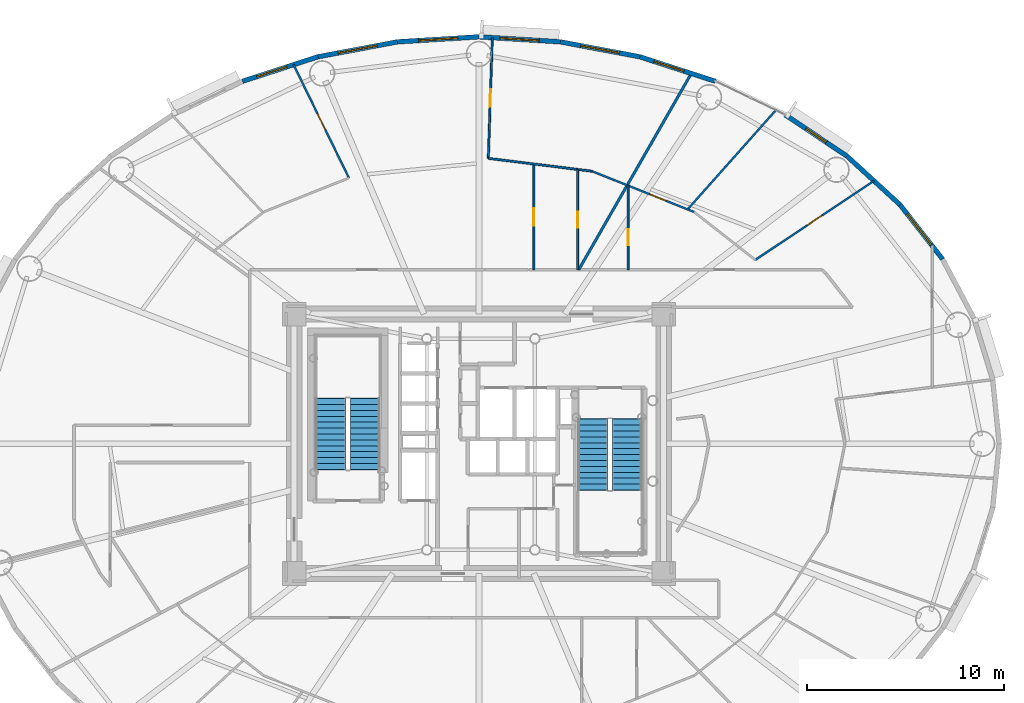
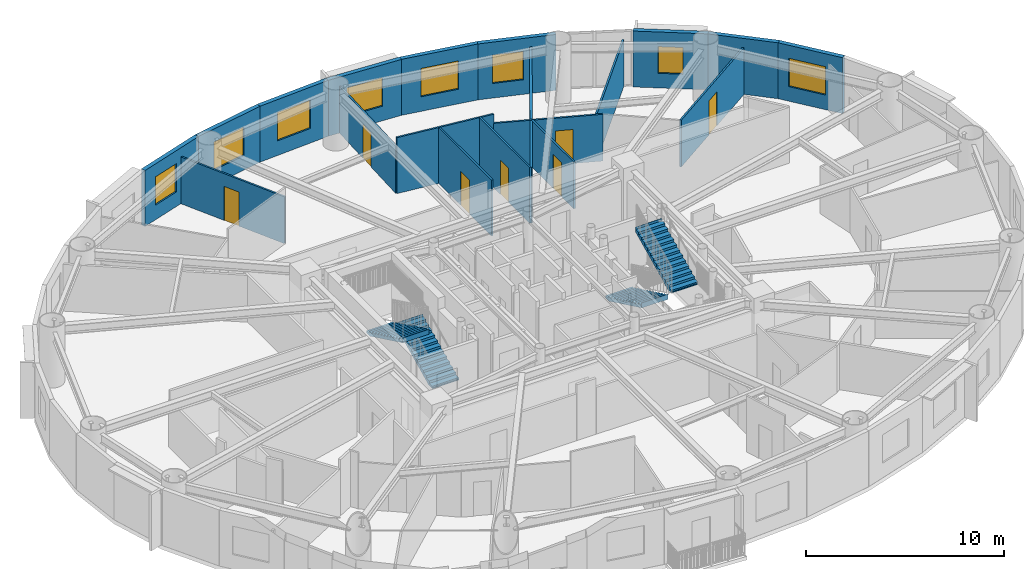
# One storey, part 10 of 17: 19 walls, 8 windows, 7 doors, 4 stair flights, 15 openings, 2 elements without a shape of their own.
"""IFC4 building model written with IfcOpenShell, lengths in metres."""

from ifc_helpers import new_model, si_unit, direction, frame, frame_2d, origin, origin_2d, place, context, subcontext, project, spatial, polyline, rectangle, outline, extrude, source, transform, mapped, material, layer, layer_set, type_object, element, fill, aggregate, save


model = new_model("IFC4")

# Units and contexts
model_context = context("Model", 3, precision=1e-05, world=origin(), true_north=direction((0.0, 1.0)))
body_context = subcontext(model_context, "Body", "Model", "MODEL_VIEW")
ifc_project = project(units=[si_unit("LENGTHUNIT", "METRE"), si_unit("AREAUNIT", "SQUARE_METRE"), si_unit("VOLUMEUNIT", "CUBIC_METRE"), si_unit("PLANEANGLEUNIT", "RADIAN"), si_unit("MASSUNIT", "GRAM", prefix="KILO")], contexts=[model_context])

# Site, building, storey
site_placement = place(None, origin())
site = spatial("IfcSite", under=ifc_project, at=site_placement, CompositionType="ELEMENT")
building_placement = place(site_placement, origin())
building = spatial("IfcBuilding", under=site, at=building_placement, Name="Linh Dai School and Residence Tower", CompositionType="ELEMENT")
storey_placement = place(building_placement, frame((0.0, 0.0, 201.14990234375)))
storey = spatial("IfcBuildingStorey", under=building, at=storey_placement, Name="L49", CompositionType="ELEMENT", Elevation=201.14990234375)

# Wall, opening, window
ifc_material_1 = material(Name="Precast Concrete B45 (C35/45)", Category="concrete")
ifc_layer_1 = layer(ifc_material_1, 0.239990234375)
ifc_layer_set_1 = layer_set([ifc_layer_1], Name="Precast Concrete B45 (C35/45)")
wall_type_1 = type_object("IfcWallType", Name="EW-TC-240", PredefinedType="SOLIDWALL", material=ifc_layer_set_1)
wall_1_placement = place(storey_placement, frame((57.42822265625, 39.158447265625, 0.0), z_axis=(0.0, 0.0, 1.0), x_axis=(0.616287674549, -0.787521112224, 0.0)))
wall_1 = element("IfcWall", 1, at=wall_1_placement, inside=storey, type_object=wall_type_1, Name="L49 Terracotta Exterior Wall 04", PredefinedType="SOLIDWALL", context=body_context, shape_type="SweptSolid", body=[
    extrude(rectangle(XDim=3.517333984375, YDim=0.239990234375, at=frame_2d((1.7587890625, 0.0))), origin(), (0.0, 0.0, 1.0), 3.4501953125),
])
opening_1_placement = place(wall_1_placement, frame((0.5791015625, 0.0, 0.89990234375)))
opening_1 = element("IfcOpeningElement", 2, at=opening_1_placement, cuts=wall_1, Name="Opening W1", PredefinedType="OPENING", context=body_context, shape_type="SweptSolid", body=[
    extrude(rectangle(XDim=2.0, YDim=1.75, at=origin_2d()), frame((1.0, 0.1298828125, 0.875), z_axis=(0.0, -1.0, 0.0), x_axis=(1.0, 0.0, 0.0)), (0.0, 0.0, 1.0), 0.260009765625),
])
ifc_material_2 = material(Name="Double Low-E Insulated Glazing", Category="glass")
window_type_1 = type_object("IfcWindowType", Name="WN-RES-2000x1750", PartitioningType="DOUBLE_PANEL_VERTICAL", PredefinedType="WINDOW", material=ifc_material_2)
shared_shape_1 = source(origin(), body_context, "Body", "SweptSolid", [
    extrude(rectangle(XDim=2.0, YDim=1.75, at=origin_2d()), frame((1.0, 0.030029296875, 0.875), z_axis=(0.0, -1.0, 0.0), x_axis=(1.0, 0.0, 0.0)), (0.0, 0.0, 1.0), 0.06005859375),
])
window_1_placement = place(opening_1_placement, origin())
window_1 = element("IfcWindow", 3, at=window_1_placement, inside=storey, type_object=window_type_1, Name="L49 Exterior Window 04.1", OverallHeight=1.75, OverallWidth=2.0, PartitioningType="DOUBLE_PANEL_VERTICAL", PredefinedType="WINDOW", context=body_context, shape_type="MappedRepresentation", body=[
    mapped(shared_shape_1, transform((0.0, 0.0, 0.0), x_axis=(1.0, 0.0, 0.0), y_axis=(0.0, 1.0, 0.0), z_axis=(0.0, 0.0, 1.0), scale=1.0)),
])
fill(opening_1, window_1)

# Wall
wall_2_placement = place(storey_placement, frame((54.73193359375, 41.630615234375, 0.0), z_axis=(0.0, 0.0, 1.0), x_axis=(0.737076565834, -0.675809245349, 0.0)))
element("IfcWall", 4, at=wall_2_placement, inside=storey, type_object=wall_type_1, Name="L49 Terracotta Exterior Wall 05", PredefinedType="SOLIDWALL", context=body_context, shape_type="SweptSolid", body=[
    extrude(rectangle(XDim=3.658203125, YDim=0.239990234375, at=frame_2d((1.8291015625, 0.0))), origin(), (0.0, 0.0, 1.0), 3.4501953125),
])

# Wall, opening, window
wall_3_placement = place(storey_placement, frame((51.5732421875, 43.7431640625, 0.0), z_axis=(0.0, 0.0, 1.0), x_axis=(0.831228998277, -0.555930168657, 0.0)))
wall_3 = element("IfcWall", 5, at=wall_3_placement, inside=storey, type_object=wall_type_1, Name="L49 Terracotta Exterior Wall 06", PredefinedType="SOLIDWALL", context=body_context, shape_type="SweptSolid", body=[
    extrude(rectangle(XDim=3.800048828125, YDim=0.239990234375, at=frame_2d((1.89990234375, 0.0))), origin(), (0.0, 0.0, 1.0), 3.4501953125),
])
opening_2_placement = place(wall_3_placement, frame((1.27490234375, 0.0, 0.89990234375)))
opening_2 = element("IfcOpeningElement", 6, at=opening_2_placement, cuts=wall_3, Name="Opening W3", PredefinedType="OPENING", context=body_context, shape_type="SweptSolid", body=[
    extrude(rectangle(XDim=1.25, YDim=1.64990234375, at=origin_2d()), frame((0.625, 0.1298828125, 0.824951171875), z_axis=(0.0, -1.0, 0.0), x_axis=(1.0, 0.0, 0.0)), (0.0, 0.0, 1.0), 0.260009765625),
])
window_type_2 = type_object("IfcWindowType", Name="WN-RES-1250x1650", PartitioningType="SINGLE_PANEL", PredefinedType="WINDOW", material=ifc_material_2)
shared_shape_2 = source(origin(), body_context, "Body", "SweptSolid", [
    extrude(rectangle(XDim=1.25, YDim=1.64990234375, at=origin_2d()), frame((0.625, 0.030029296875, 0.824951171875), z_axis=(0.0, -1.0, 0.0), x_axis=(1.0, 0.0, 0.0)), (0.0, 0.0, 1.0), 0.06005859375),
])
window_2_placement = place(opening_2_placement, origin())
window_2 = element("IfcWindow", 7, at=window_2_placement, inside=storey, type_object=window_type_2, Name="L49 Dwelling Window U4902-BD3", OverallHeight=1.64990234375, OverallWidth=1.25, PartitioningType="SINGLE_PANEL", PredefinedType="WINDOW", context=body_context, shape_type="MappedRepresentation", body=[
    mapped(shared_shape_2, transform((0.0, 0.0, 0.0), x_axis=(1.0, 0.0, 0.0), y_axis=(0.0, 1.0, 0.0), z_axis=(0.0, 0.0, 1.0), scale=1.0)),
])
fill(opening_2, window_2)

wall_4_placement = place(storey_placement, frame((44.18896484375, 46.689453125, 0.0), z_axis=(0.0, 0.0, 1.0), x_axis=(0.951209870236, -0.30854462038, 0.0)))
wall_4 = element("IfcWall", 8, at=wall_4_placement, inside=storey, type_object=wall_type_1, Name="L49 Terracotta Exterior Wall 08", PredefinedType="SOLIDWALL", context=body_context, shape_type="SweptSolid", body=[
    extrude(rectangle(XDim=4.037841796875, YDim=0.239990234375, at=frame_2d((2.01904296875, 0.0))), origin(), (0.0, 0.0, 1.0), 3.4501953125),
])
opening_3_placement = place(wall_4_placement, frame((0.7568359375, 0.0, 0.89990234375)))
opening_3 = element("IfcOpeningElement", 9, at=opening_3_placement, cuts=wall_4, Name="Opening W2", PredefinedType="OPENING", context=body_context, shape_type="SweptSolid", body=[
    extrude(rectangle(XDim=1.60009765625, YDim=1.75, at=origin_2d()), frame((0.800048828125, 0.1298828125, 0.875), z_axis=(0.0, -1.0, 0.0), x_axis=(1.0, 0.0, 0.0)), (0.0, 0.0, 1.0), 0.260009765625),
])
window_type_3 = type_object("IfcWindowType", Name="WN-RES-1600x1750", PartitioningType="DOUBLE_PANEL_VERTICAL", PredefinedType="WINDOW", material=ifc_material_2)
shared_shape_3 = source(origin(), body_context, "Body", "SweptSolid", [
    extrude(rectangle(XDim=1.60009765625, YDim=1.75, at=origin_2d()), frame((0.800048828125, 0.030029296875, 0.875), z_axis=(0.0, -1.0, 0.0), x_axis=(1.0, 0.0, 0.0)), (0.0, 0.0, 1.0), 0.06005859375),
])
window_3_placement = place(opening_3_placement, origin())
window_3 = element("IfcWindow", 10, at=window_3_placement, inside=storey, type_object=window_type_3, Name="L49 Exterior Window 08.1", OverallHeight=1.75, OverallWidth=1.60009765625, PartitioningType="DOUBLE_PANEL_VERTICAL", PredefinedType="WINDOW", context=body_context, shape_type="MappedRepresentation", body=[
    mapped(shared_shape_3, transform((0.0, 0.0, 0.0), x_axis=(1.0, 0.0, 0.0), y_axis=(0.0, 1.0, 0.0), z_axis=(0.0, 0.0, 1.0), scale=1.0)),
])
fill(opening_3, window_3)

wall_5_placement = place(storey_placement, frame((40.145751953125, 47.449462890625, 0.0), z_axis=(0.0, 0.0, 1.0), x_axis=(0.982788108205, -0.184736391573, 0.0)))
wall_5 = element("IfcWall", 11, at=wall_5_placement, inside=storey, type_object=wall_type_1, Name="L49 Terracotta Exterior Wall 09", PredefinedType="SOLIDWALL", context=body_context, shape_type="SweptSolid", body=[
    extrude(rectangle(XDim=4.114013671875, YDim=0.239990234375, at=frame_2d((2.05712890625, 0.0))), origin(), (0.0, 0.0, 1.0), 3.4501953125),
])
opening_4_placement = place(wall_5_placement, frame((1.056884765625, 0.0, 0.89990234375)))
opening_4 = element("IfcOpeningElement", 12, at=opening_4_placement, cuts=wall_5, Name="Opening W1", PredefinedType="OPENING", context=body_context, shape_type="SweptSolid", body=[
    extrude(rectangle(XDim=2.0, YDim=1.75, at=origin_2d()), frame((1.0, 0.1298828125, 0.875), z_axis=(0.0, -1.0, 0.0), x_axis=(1.0, 0.0, 0.0)), (0.0, 0.0, 1.0), 0.260009765625),
])
window_4_placement = place(opening_4_placement, origin())
window_4 = element("IfcWindow", 13, at=window_4_placement, inside=storey, type_object=window_type_1, Name="L49 Exterior Window 09.1", OverallHeight=1.75, OverallWidth=2.0, PartitioningType="DOUBLE_PANEL_VERTICAL", PredefinedType="WINDOW", context=body_context, shape_type="MappedRepresentation", body=[
    mapped(shared_shape_1, transform((0.0, 0.0, 0.0), x_axis=(1.0, 0.0, 0.0), y_axis=(0.0, 1.0, 0.0), z_axis=(0.0, 0.0, 1.0), scale=1.0)),
])
fill(opening_4, window_4)

wall_6_placement = place(storey_placement, frame((36.0, 47.705078125, 0.0), z_axis=(0.0, 0.0, 1.0), x_axis=(0.998104600619, -0.061540281305, 0.0)))
wall_6 = element("IfcWall", 14, at=wall_6_placement, inside=storey, type_object=wall_type_1, Name="L49 Terracotta Exterior Wall 10", PredefinedType="SOLIDWALL", context=body_context, shape_type="SweptSolid", body=[
    extrude(rectangle(XDim=4.153564453125, YDim=0.239990234375, at=frame_2d((2.07666015625, 0.0))), origin(), (0.0, 0.0, 1.0), 3.4501953125),
])
opening_5_placement = place(wall_6_placement, frame((1.076904296875, 0.0, 0.89990234375)))
opening_5 = element("IfcOpeningElement", 15, at=opening_5_placement, cuts=wall_6, Name="Opening W1", PredefinedType="OPENING", context=body_context, shape_type="SweptSolid", body=[
    extrude(rectangle(XDim=2.0, YDim=1.75, at=origin_2d()), frame((1.0, 0.1298828125, 0.875), z_axis=(0.0, -1.0, 0.0), x_axis=(1.0, 0.0, 0.0)), (0.0, 0.0, 1.0), 0.260009765625),
])
window_5_placement = place(opening_5_placement, origin())
window_5 = element("IfcWindow", 16, at=window_5_placement, inside=storey, type_object=window_type_1, Name="L49 Exterior Window 10.1", OverallHeight=1.75, OverallWidth=2.0, PartitioningType="DOUBLE_PANEL_VERTICAL", PredefinedType="WINDOW", context=body_context, shape_type="MappedRepresentation", body=[
    mapped(shared_shape_1, transform((0.0, 0.0, 0.0), x_axis=(1.0, 0.0, 0.0), y_axis=(0.0, 1.0, 0.0), z_axis=(0.0, 0.0, 1.0), scale=1.0)),
])
fill(opening_5, window_5)

wall_7_placement = place(storey_placement, frame((31.854248046875, 47.449462890625, 0.0), z_axis=(0.0, 0.0, 1.0), x_axis=(0.998104600619, 0.061540281305, 0.0)))
wall_7 = element("IfcWall", 17, at=wall_7_placement, inside=storey, type_object=wall_type_1, Name="L49 Terracotta Exterior Wall 11", PredefinedType="SOLIDWALL", context=body_context, shape_type="SweptSolid", body=[
    extrude(rectangle(XDim=4.153564453125, YDim=0.239990234375, at=frame_2d((2.07666015625, 0.0))), origin(), (0.0, 0.0, 1.0), 3.4501953125),
])
opening_6_placement = place(wall_7_placement, frame((1.076904296875, 0.0, 0.89990234375)))
opening_6 = element("IfcOpeningElement", 18, at=opening_6_placement, cuts=wall_7, Name="Opening W1", PredefinedType="OPENING", context=body_context, shape_type="SweptSolid", body=[
    extrude(rectangle(XDim=2.0, YDim=1.75, at=origin_2d()), frame((1.0, 0.1298828125, 0.875), z_axis=(0.0, -1.0, 0.0), x_axis=(1.0, 0.0, 0.0)), (0.0, 0.0, 1.0), 0.260009765625),
])
window_6_placement = place(opening_6_placement, origin())
window_6 = element("IfcWindow", 19, at=window_6_placement, inside=storey, type_object=window_type_1, Name="L49 Exterior Window 11.1", OverallHeight=1.75, OverallWidth=2.0, PartitioningType="DOUBLE_PANEL_VERTICAL", PredefinedType="WINDOW", context=body_context, shape_type="MappedRepresentation", body=[
    mapped(shared_shape_1, transform((0.0, 0.0, 0.0), x_axis=(1.0, 0.0, 0.0), y_axis=(0.0, 1.0, 0.0), z_axis=(0.0, 0.0, 1.0), scale=1.0)),
])
fill(opening_6, window_6)

wall_8_placement = place(storey_placement, frame((27.81103515625, 46.689453125, 0.0), z_axis=(0.0, 0.0, 1.0), x_axis=(0.982788108205, 0.184736391573, 0.0)))
wall_8 = element("IfcWall", 20, at=wall_8_placement, inside=storey, type_object=wall_type_1, Name="L49 Terracotta Exterior Wall 12", PredefinedType="SOLIDWALL", context=body_context, shape_type="SweptSolid", body=[
    extrude(rectangle(XDim=4.114013671875, YDim=0.239990234375, at=frame_2d((2.05712890625, 0.0))), origin(), (0.0, 0.0, 1.0), 3.4501953125),
])
opening_7_placement = place(wall_8_placement, frame((1.05712890625, 0.0, 0.89990234375)))
opening_7 = element("IfcOpeningElement", 21, at=opening_7_placement, cuts=wall_8, Name="Opening W1", PredefinedType="OPENING", context=body_context, shape_type="SweptSolid", body=[
    extrude(rectangle(XDim=2.0, YDim=1.75, at=origin_2d()), frame((1.0, 0.1298828125, 0.875), z_axis=(0.0, -1.0, 0.0), x_axis=(1.0, 0.0, 0.0)), (0.0, 0.0, 1.0), 0.260009765625),
])
window_7_placement = place(opening_7_placement, origin())
window_7 = element("IfcWindow", 22, at=window_7_placement, inside=storey, type_object=window_type_1, Name="L49 Exterior Window 12.1", OverallHeight=1.75, OverallWidth=2.0, PartitioningType="DOUBLE_PANEL_VERTICAL", PredefinedType="WINDOW", context=body_context, shape_type="MappedRepresentation", body=[
    mapped(shared_shape_1, transform((0.0, 0.0, 0.0), x_axis=(1.0, 0.0, 0.0), y_axis=(0.0, 1.0, 0.0), z_axis=(0.0, 0.0, 1.0), scale=1.0)),
])
fill(opening_7, window_7)

wall_9_placement = place(storey_placement, frame((23.97021484375, 45.443603515625, 0.0), z_axis=(0.0, 0.0, 1.0), x_axis=(0.951209870236, 0.30854462038, 0.0)))
wall_9 = element("IfcWall", 23, at=wall_9_placement, inside=storey, type_object=wall_type_1, Name="L49 Terracotta Exterior Wall 13", PredefinedType="SOLIDWALL", context=body_context, shape_type="SweptSolid", body=[
    extrude(rectangle(XDim=4.037841796875, YDim=0.239990234375, at=frame_2d((2.01904296875, 0.0))), origin(), (0.0, 0.0, 1.0), 3.4501953125),
])
opening_8_placement = place(wall_9_placement, frame((0.77001953125, 0.0, 0.89990234375)))
opening_8 = element("IfcOpeningElement", 24, at=opening_8_placement, cuts=wall_9, Name="Opening W2", PredefinedType="OPENING", context=body_context, shape_type="SweptSolid", body=[
    extrude(rectangle(XDim=1.60009765625, YDim=1.75, at=origin_2d()), frame((0.800048828125, 0.1298828125, 0.875), z_axis=(0.0, -1.0, 0.0), x_axis=(1.0, 0.0, 0.0)), (0.0, 0.0, 1.0), 0.260009765625),
])
window_8_placement = place(opening_8_placement, origin())
window_8 = element("IfcWindow", 25, at=window_8_placement, inside=storey, type_object=window_type_3, Name="L49 Exterior Window 13.1", OverallHeight=1.75, OverallWidth=1.60009765625, PartitioningType="DOUBLE_PANEL_VERTICAL", PredefinedType="WINDOW", context=body_context, shape_type="MappedRepresentation", body=[
    mapped(shared_shape_3, transform((0.0, 0.0, 0.0), x_axis=(1.0, 0.0, 0.0), y_axis=(0.0, 1.0, 0.0), z_axis=(0.0, 0.0, 1.0), scale=1.0)),
])
fill(opening_8, window_8)

# Wall
ifc_material_3 = material(Name="Autoclaved Aerated Concrete Blockwork", Category="masonry")
ifc_layer_2 = layer(ifc_material_3, 0.135009765625)
ifc_layer_set_2 = layer_set([ifc_layer_2], Name="Autoclaved Aerated Concrete Blockwork")
wall_type_2 = type_object("IfcWallType", Name="IW-CORR-135-EI90", PredefinedType="PARTITIONING", material=ifc_layer_set_2)
wall_10_placement = place(storey_placement, frame((41.076171875, 35.85009765625, 0.0), z_axis=(0.0, 0.0, 1.0), x_axis=(0.497557605347, 0.867430936364, 0.0)))
element("IfcWall", 26, at=wall_10_placement, inside=storey, type_object=wall_type_2, Name="L49 Interior Partition Wall 069", PredefinedType="PARTITIONING", context=body_context, shape_type="SweptSolid", body=[
    extrude(rectangle(XDim=11.522216796875, YDim=0.135009765625, at=frame_2d((5.76123046875, 0.0))), origin(), (0.0, 0.0, 1.0), 2.885009765625),
])

# Wall, opening, door
ifc_material_4 = material(Name="Gypsum Plasterboard Acoustic Stud Partition", Category="masonry")
ifc_layer_3 = layer(ifc_material_4, 0.10009765625)
ifc_layer_set_3 = layer_set([ifc_layer_3], Name="Gypsum Plasterboard Acoustic Stud Partition")
wall_type_3 = type_object("IfcWallType", Name="IW-UNIT-100", PredefinedType="PARTITIONING", material=ifc_layer_set_3)
wall_11_placement = place(storey_placement, frame((26.568359375, 46.29150390625, 0.0), z_axis=(0.0, 0.0, 1.0), x_axis=(0.439223775301, -0.898377690735, 0.0)))
wall_11 = element("IfcWall", 27, at=wall_11_placement, inside=storey, type_object=wall_type_3, Name="L49 Interior Partition Wall 025", PredefinedType="PARTITIONING", context=body_context, shape_type="SweptSolid", body=[
    extrude(rectangle(XDim=6.4189453125, YDim=0.10009765625, at=frame_2d((3.20947265625, 0.0))), origin(), (0.0, 0.0, 1.0), 2.885009765625),
])
opening_9_placement = place(wall_11_placement, frame((2.759521484375, 0.0, 0.0)))
opening_9 = element("IfcOpeningElement", 28, at=opening_9_placement, cuts=wall_11, Name="Opening D05", PredefinedType="OPENING", context=body_context, shape_type="SweptSolid", body=[
    extrude(rectangle(XDim=0.89990234375, YDim=2.10009765625, at=origin_2d()), frame((0.449951171875, 0.06005859375, 1.050048828125), z_axis=(0.0, -1.0, 0.0), x_axis=(1.0, 0.0, 0.0)), (0.0, 0.0, 1.0), 0.1201171875),
])
ifc_material_5 = material(Name="Engineered Timber Internal Door", Category="wood")
door_type_1 = type_object("IfcDoorType", Name="DR-INT-900x2100", OperationType="NOTDEFINED", PredefinedType="DOOR", material=ifc_material_5)
shared_shape_4 = source(origin(), body_context, "Body", "SweptSolid", [
    extrude(rectangle(XDim=0.89990234375, YDim=2.10009765625, at=origin_2d()), frame((0.449951171875, 0.02490234375, 1.050048828125), z_axis=(0.0, -1.0, 0.0), x_axis=(1.0, 0.0, 0.0)), (0.0, 0.0, 1.0), 0.050048828125),
])
door_1_placement = place(opening_9_placement, origin())
door_1 = element("IfcDoor", 29, at=door_1_placement, inside=storey, type_object=door_type_1, Name="L49 Apartment U4903 Principal Bedroom 2 Door", OperationType="SINGLE_SWING_LEFT", OverallHeight=2.10009765625, OverallWidth=0.89990234375, PredefinedType="DOOR", context=body_context, shape_type="MappedRepresentation", body=[
    mapped(shared_shape_4, transform((0.0, 0.0, 0.0), x_axis=(1.0, 0.0, 0.0), y_axis=(0.0, 1.0, 0.0), z_axis=(0.0, 0.0, 1.0), scale=1.0)),
])
fill(opening_9, door_1)

wall_12_placement = place(storey_placement, frame((36.479736328125, 41.521484375, 0.0), z_axis=(0.0, 0.0, 1.0), x_axis=(0.033029315495, 0.99945438331, 0.0)))
wall_12 = element("IfcWall", 30, at=wall_12_placement, inside=storey, type_object=wall_type_3, Name="L49 Interior Partition Wall 051", PredefinedType="PARTITIONING", context=body_context, shape_type="SweptSolid", body=[
    extrude(rectangle(XDim=6.14990234375, YDim=0.10009765625, at=frame_2d((3.074951171875, 0.0))), origin(), (0.0, 0.0, 1.0), 2.885009765625),
])
opening_10_placement = place(wall_12_placement, frame((2.625, 0.0, 0.0)))
opening_10 = element("IfcOpeningElement", 31, at=opening_10_placement, cuts=wall_12, Name="Opening D05", PredefinedType="OPENING", context=body_context, shape_type="SweptSolid", body=[
    extrude(rectangle(XDim=0.89990234375, YDim=2.10009765625, at=origin_2d()), frame((0.449951171875, 0.06005859375, 1.050048828125), z_axis=(0.0, -1.0, 0.0), x_axis=(1.0, 0.0, 0.0)), (0.0, 0.0, 1.0), 0.1201171875),
])
door_2_placement = place(opening_10_placement, origin())
door_2 = element("IfcDoor", 32, at=door_2_placement, inside=storey, type_object=door_type_1, Name="L49 Apartment U4903 Principal Bedroom 1 Door", OperationType="SINGLE_SWING_RIGHT", OverallHeight=2.10009765625, OverallWidth=0.89990234375, PredefinedType="DOOR", context=body_context, shape_type="MappedRepresentation", body=[
    mapped(shared_shape_4, transform((0.0, 0.0, 0.0), x_axis=(1.0, 0.0, 0.0), y_axis=(0.0, 1.0, 0.0), z_axis=(0.0, 0.0, 1.0), scale=1.0)),
])
fill(opening_10, door_2)

# Wall
wall_13_placement = place(storey_placement, frame((36.479736328125, 41.521484375, 0.0), z_axis=(0.0, 0.0, 1.0), x_axis=(0.992397562131, -0.123073468612, 0.0)))
element("IfcWall", 33, at=wall_13_placement, inside=storey, type_object=wall_type_3, Name="L49 Interior Partition Wall 052", PredefinedType="PARTITIONING", context=body_context, shape_type="SweptSolid", body=[
    extrude(rectangle(XDim=5.314208984375, YDim=0.10009765625, at=frame_2d((2.6572265625, 0.0))), origin(), (0.0, 0.0, 1.0), 3.4501953125),
])

# Wall, opening, door
wall_14_placement = place(storey_placement, frame((38.798828125, 35.85009765625, 0.0), z_axis=(0.0, 0.0, 1.0), x_axis=(0.0, 1.0, 0.0)))
wall_14 = element("IfcWall", 34, at=wall_14_placement, inside=storey, type_object=wall_type_3, Name="L49 Interior Partition Wall 059", PredefinedType="PARTITIONING", context=body_context, shape_type="SweptSolid", body=[
    extrude(rectangle(XDim=5.3837890625, YDim=0.10009765625, at=frame_2d((2.69189453125, 0.0))), origin(), (0.0, 0.0, 1.0), 3.4501953125),
])
opening_11_placement = place(wall_14_placement, frame((2.241943359375, 0.0, 0.0)))
opening_11 = element("IfcOpeningElement", 35, at=opening_11_placement, cuts=wall_14, Name="Opening D05", PredefinedType="OPENING", context=body_context, shape_type="SweptSolid", body=[
    extrude(rectangle(XDim=0.89990234375, YDim=2.10009765625, at=origin_2d()), frame((0.449951171875, 0.06005859375, 1.050048828125), z_axis=(0.0, -1.0, 0.0), x_axis=(1.0, 0.0, 0.0)), (0.0, 0.0, 1.0), 0.1201171875),
])
door_3_placement = place(opening_11_placement, origin())
door_3 = element("IfcDoor", 36, at=door_3_placement, inside=storey, type_object=door_type_1, Name="L49 Apartment U4903 Kitchen Door", OperationType="SINGLE_SWING_LEFT", OverallHeight=2.10009765625, OverallWidth=0.89990234375, PredefinedType="DOOR", context=body_context, shape_type="MappedRepresentation", body=[
    mapped(shared_shape_4, transform((0.0, 0.0, 0.0), x_axis=(1.0, 0.0, 0.0), y_axis=(0.0, 1.0, 0.0), z_axis=(0.0, 0.0, 1.0), scale=1.0)),
])
fill(opening_11, door_3)

wall_15_placement = place(storey_placement, frame((41.02001953125, 35.85009765625, 0.0), z_axis=(0.0, 0.0, 1.0), x_axis=(0.0, 1.0, 0.0)))
wall_15 = element("IfcWall", 37, at=wall_15_placement, inside=storey, type_object=wall_type_3, Name="L49 Interior Partition Wall 068", PredefinedType="PARTITIONING", context=body_context, shape_type="SweptSolid", body=[
    extrude(rectangle(XDim=5.108154296875, YDim=0.10009765625, at=frame_2d((2.55419921875, 0.0))), origin(), (0.0, 0.0, 1.0), 3.4501953125),
])
opening_12_placement = place(wall_15_placement, frame((2.144287109375, 0.0, 0.0)))
opening_12 = element("IfcOpeningElement", 38, at=opening_12_placement, cuts=wall_15, Name="Opening D06", PredefinedType="OPENING", context=body_context, shape_type="SweptSolid", body=[
    extrude(rectangle(XDim=0.820068359375, YDim=2.10009765625, at=origin_2d()), frame((0.41015625, 0.06005859375, 1.050048828125), z_axis=(0.0, -1.0, 0.0), x_axis=(1.0, 0.0, 0.0)), (0.0, 0.0, 1.0), 0.1201171875),
])
ifc_material_6 = material(Name="Moisture-Resistant Timber Bathroom Door", Category="wood")
door_type_2 = type_object("IfcDoorType", Name="DR-WET-820x2100", OperationType="NOTDEFINED", PredefinedType="DOOR", material=ifc_material_6)
shared_shape_5 = source(origin(), body_context, "Body", "SweptSolid", [
    extrude(rectangle(XDim=0.820068359375, YDim=2.10009765625, at=origin_2d()), frame((0.41015625, 0.02490234375, 1.050048828125), z_axis=(0.0, -1.0, 0.0), x_axis=(1.0, 0.0, 0.0)), (0.0, 0.0, 1.0), 0.050048828125),
])
door_4_placement = place(opening_12_placement, origin())
door_4 = element("IfcDoor", 39, at=door_4_placement, inside=storey, type_object=door_type_2, Name="L49 Apartment U4903 Bathroom 1 Door", OperationType="SINGLE_SWING_RIGHT", OverallHeight=2.10009765625, OverallWidth=0.820068359375, PredefinedType="DOOR", context=body_context, shape_type="MappedRepresentation", body=[
    mapped(shared_shape_5, transform((0.0, 0.0, 0.0), x_axis=(1.0, 0.0, 0.0), y_axis=(0.0, 1.0, 0.0), z_axis=(0.0, 0.0, 1.0), scale=1.0)),
])
fill(opening_12, door_4)

wall_16_placement = place(storey_placement, frame((41.75390625, 40.867431640625, 0.0), z_axis=(0.0, 0.0, 1.0), x_axis=(0.928792710591, -0.370599650233, 0.0)))
wall_16 = element("IfcWall", 40, at=wall_16_placement, inside=storey, type_object=wall_type_3, Name="L49 Interior Partition Wall 072", PredefinedType="PARTITIONING", context=body_context, shape_type="SweptSolid", body=[
    extrude(rectangle(XDim=5.58837890625, YDim=0.10009765625, at=frame_2d((2.794189453125, 0.0))), origin(), (0.0, 0.0, 1.0), 2.885009765625),
])
opening_13_placement = place(wall_16_placement, frame((3.156005859375, 0.0, 0.0)))
opening_13 = element("IfcOpeningElement", 41, at=opening_13_placement, cuts=wall_16, Name="Opening D05", PredefinedType="OPENING", context=body_context, shape_type="SweptSolid", body=[
    extrude(rectangle(XDim=0.89990234375, YDim=2.10009765625, at=origin_2d()), frame((0.449951171875, 0.06005859375, 1.050048828125), z_axis=(0.0, -1.0, 0.0), x_axis=(1.0, 0.0, 0.0)), (0.0, 0.0, 1.0), 0.1201171875),
])
door_5_placement = place(opening_13_placement, origin())
door_5 = element("IfcDoor", 42, at=door_5_placement, inside=storey, type_object=door_type_1, Name="L49 Apartment U4902 Study Door", OperationType="SINGLE_SWING_RIGHT", OverallHeight=2.10009765625, OverallWidth=0.89990234375, PredefinedType="DOOR", context=body_context, shape_type="MappedRepresentation", body=[
    mapped(shared_shape_4, transform((0.0, 0.0, 0.0), x_axis=(1.0, 0.0, 0.0), y_axis=(0.0, 1.0, 0.0), z_axis=(0.0, 0.0, 1.0), scale=1.0)),
])
fill(opening_13, door_5)

wall_17_placement = place(storey_placement, frame((43.5888671875, 35.85009765625, 0.0), z_axis=(0.0, 0.0, 1.0), x_axis=(0.0, 1.0, 0.0)))
wall_17 = element("IfcWall", 43, at=wall_17_placement, inside=storey, type_object=wall_type_3, Name="L49 Interior Partition Wall 073", PredefinedType="PARTITIONING", context=body_context, shape_type="SweptSolid", body=[
    extrude(rectangle(XDim=4.28515625, YDim=0.10009765625, at=frame_2d((2.142578125, 0.0))), origin(), (0.0, 0.0, 1.0), 2.885009765625),
])
opening_14_placement = place(wall_17_placement, frame((1.248779296875, 0.0, 0.0)))
opening_14 = element("IfcOpeningElement", 44, at=opening_14_placement, cuts=wall_17, Name="Opening D06", PredefinedType="OPENING", context=body_context, shape_type="SweptSolid", body=[
    extrude(rectangle(XDim=0.820068359375, YDim=2.10009765625, at=origin_2d()), frame((0.41015625, 0.06005859375, 1.050048828125), z_axis=(0.0, -1.0, 0.0), x_axis=(1.0, 0.0, 0.0)), (0.0, 0.0, 1.0), 0.1201171875),
])
door_6_placement = place(opening_14_placement, origin())
door_6 = element("IfcDoor", 45, at=door_6_placement, inside=storey, type_object=door_type_2, Name="L49 Apartment U4902 Bathroom 1 Door", OperationType="SINGLE_SWING_LEFT", OverallHeight=2.10009765625, OverallWidth=0.820068359375, PredefinedType="DOOR", context=body_context, shape_type="MappedRepresentation", body=[
    mapped(shared_shape_5, transform((0.0, 0.0, 0.0), x_axis=(1.0, 0.0, 0.0), y_axis=(0.0, 1.0, 0.0), z_axis=(0.0, 0.0, 1.0), scale=1.0)),
])
fill(opening_14, door_6)

# Wall
wall_18_placement = place(storey_placement, frame((46.617431640625, 38.9267578125, 0.0), z_axis=(0.0, 0.0, 1.0), x_axis=(0.664908846083, 0.746924511849, 0.0)))
element("IfcWall", 46, at=wall_18_placement, inside=storey, type_object=wall_type_3, Name="L49 Interior Partition Wall 079", PredefinedType="PARTITIONING", context=body_context, shape_type="SweptSolid", body=[
    extrude(rectangle(XDim=6.754150390625, YDim=0.10009765625, at=frame_2d((3.376953125, 0.0))), origin(), (0.0, 0.0, 1.0), 2.885009765625),
])

# Wall, opening, door
wall_19_placement = place(storey_placement, frame((50.060302734375, 36.3564453125, 0.0), z_axis=(0.0, 0.0, 1.0), x_axis=(0.832520763353, 0.553993843455, 0.0)))
wall_19 = element("IfcWall", 47, at=wall_19_placement, inside=storey, type_object=wall_type_3, Name="L49 Interior Partition Wall 083", PredefinedType="PARTITIONING", context=body_context, shape_type="SweptSolid", body=[
    extrude(rectangle(XDim=7.260498046875, YDim=0.10009765625, at=frame_2d((3.63037109375, 0.0))), origin(), (0.0, 0.0, 1.0), 2.885009765625),
])
opening_15_placement = place(wall_19_placement, frame((3.18017578125, 0.0, 0.0)))
opening_15 = element("IfcOpeningElement", 48, at=opening_15_placement, cuts=wall_19, Name="Opening D05", PredefinedType="OPENING", context=body_context, shape_type="SweptSolid", body=[
    extrude(rectangle(XDim=0.89990234375, YDim=2.10009765625, at=origin_2d()), frame((0.449951171875, 0.06005859375, 1.050048828125), z_axis=(0.0, -1.0, 0.0), x_axis=(1.0, 0.0, 0.0)), (0.0, 0.0, 1.0), 0.1201171875),
])
door_7_placement = place(opening_15_placement, origin())
door_7 = element("IfcDoor", 49, at=door_7_placement, inside=storey, type_object=door_type_1, Name="L49 Apartment U4902 Principal Bedroom 3 Door", OperationType="SINGLE_SWING_LEFT", OverallHeight=2.10009765625, OverallWidth=0.89990234375, PredefinedType="DOOR", context=body_context, shape_type="MappedRepresentation", body=[
    mapped(shared_shape_4, transform((0.0, 0.0, 0.0), x_axis=(1.0, 0.0, 0.0), y_axis=(0.0, 1.0, 0.0), z_axis=(0.0, 0.0, 1.0), scale=1.0)),
])
fill(opening_15, door_7)

# Stair, stair flights
ifc_material_7 = material(Name="Concrete B45 (C35/45)", Category="concrete")
stair_type = type_object("IfcStairType", Name="ST-DOG-1550-R1442", PredefinedType="HALF_TURN_STAIR", material=ifc_material_7)
stair_1_placement = place(storey_placement, origin())
stair_1 = element("IfcStair", 50, at=stair_1_placement, inside=storey, type_object=stair_type, Name="L49 Core Smokeproof Exit Stair ST1", PredefinedType="HALF_TURN_STAIR")
stair_flight_type = type_object("IfcStairFlightType", Name="STF-STR-1550-R1442", PredefinedType="STRAIGHT", material=ifc_material_7)
shared_shape_6 = source(origin(), body_context, "Body", "SweptSolid", [
    extrude(outline(polyline([(-0.02490234375, 0.0), (-0.02490234375, 0.06005859375), (0.0, 0.06005859375), (0.0, 0.144287109375), (0.300048828125, 0.144287109375), (0.300048828125, 0.28857421875), (0.60009765625, 0.28857421875), (0.60009765625, 0.4326171875), (0.89990234375, 0.4326171875), (0.89990234375, 0.576904296875), (1.199951171875, 0.576904296875), (1.199951171875, 0.72119140625), (1.5, 0.72119140625), (1.5, 0.865478515625), (1.800048828125, 0.865478515625), (1.800048828125, 1.009521484375), (2.10009765625, 1.009521484375), (2.10009765625, 1.15380859375), (2.39990234375, 1.15380859375), (2.39990234375, 1.298095703125), (2.699951171875, 1.298095703125), (2.699951171875, 1.4423828125), (3.0, 1.4423828125), (3.0, 1.58642578125), (3.300048828125, 1.58642578125), (3.300048828125, 1.730712890625), (3.60009765625, 1.730712890625), (3.60009765625, 1.875), (3.625, 1.875), (3.625, 1.564453125), (3.60009765625, 1.564453125), (0.345947265625, 0.0), (-0.02490234375, 0.0)])), frame((0.0, 0.77490234375, 0.0), z_axis=(0.0, -1.0, 0.0), x_axis=(1.0, 0.0, 0.0)), (0.0, 0.0, 1.0), 1.550048828125),
])
stair_flight_1_placement = place(storey_placement, frame((30.205078125, 25.699951171875, 0.0), z_axis=(0.0, 0.0, 1.0), x_axis=(0.0, 1.0, 0.0)))
stair_flight_1 = element("IfcStairFlight", 51, at=stair_flight_1_placement, type_object=stair_flight_type, Name="ST1 flight 1", NumberOfRisers=13, NumberOfTreads=12, PredefinedType="STRAIGHT", RiserHeight=0.144230769, TreadLength=0.3, context=body_context, shape_type="MappedRepresentation", body=[
    mapped(shared_shape_6, transform((0.0, 0.0, 0.0), x_axis=(1.0, 0.0, 0.0), y_axis=(0.0, 1.0, 0.0), z_axis=(0.0, 0.0, 1.0), scale=1.0)),
])
stair_flight_2_placement = place(storey_placement, frame((28.455078125, 29.300048828125, 1.875), z_axis=(0.0, 0.0, 1.0), x_axis=(0.0, -1.0, 0.0)))
stair_flight_2 = element("IfcStairFlight", 52, at=stair_flight_2_placement, type_object=stair_flight_type, Name="ST1 flight 2", NumberOfRisers=13, NumberOfTreads=12, PredefinedType="STRAIGHT", RiserHeight=0.144230769, TreadLength=0.3, context=body_context, shape_type="MappedRepresentation", body=[
    mapped(shared_shape_6, transform((0.0, 0.0, 0.0), x_axis=(1.0, 0.0, 0.0), y_axis=(0.0, 1.0, 0.0), z_axis=(0.0, 0.0, 1.0), scale=1.0)),
])
aggregate(stair_1, [stair_flight_1, stair_flight_2])

stair_2_placement = place(storey_placement, origin())
stair_2 = element("IfcStair", 53, at=stair_2_placement, inside=storey, type_object=stair_type, Name="L49 Core Smokeproof Exit Stair ST2", PredefinedType="HALF_TURN_STAIR")
stair_flight_3_placement = place(storey_placement, frame((41.794921875, 28.25, 0.0), z_axis=(0.0, 0.0, 1.0), x_axis=(0.0, -1.0, 0.0)))
stair_flight_3 = element("IfcStairFlight", 54, at=stair_flight_3_placement, type_object=stair_flight_type, Name="ST2 flight 1", NumberOfRisers=13, NumberOfTreads=12, PredefinedType="STRAIGHT", RiserHeight=0.144230769, TreadLength=0.3, context=body_context, shape_type="MappedRepresentation", body=[
    mapped(shared_shape_6, transform((0.0, 0.0, 0.0), x_axis=(1.0, 0.0, 0.0), y_axis=(0.0, 1.0, 0.0), z_axis=(0.0, 0.0, 1.0), scale=1.0)),
])
stair_flight_4_placement = place(storey_placement, frame((43.544921875, 24.64990234375, 1.875), z_axis=(0.0, 0.0, 1.0), x_axis=(0.0, 1.0, 0.0)))
stair_flight_4 = element("IfcStairFlight", 55, at=stair_flight_4_placement, type_object=stair_flight_type, Name="ST2 flight 2", NumberOfRisers=13, NumberOfTreads=12, PredefinedType="STRAIGHT", RiserHeight=0.144230769, TreadLength=0.3, context=body_context, shape_type="MappedRepresentation", body=[
    mapped(shared_shape_6, transform((0.0, 0.0, 0.0), x_axis=(1.0, 0.0, 0.0), y_axis=(0.0, 1.0, 0.0), z_axis=(0.0, 0.0, 1.0), scale=1.0)),
])
aggregate(stair_2, [stair_flight_3, stair_flight_4])

save(model, "model.ifc")
